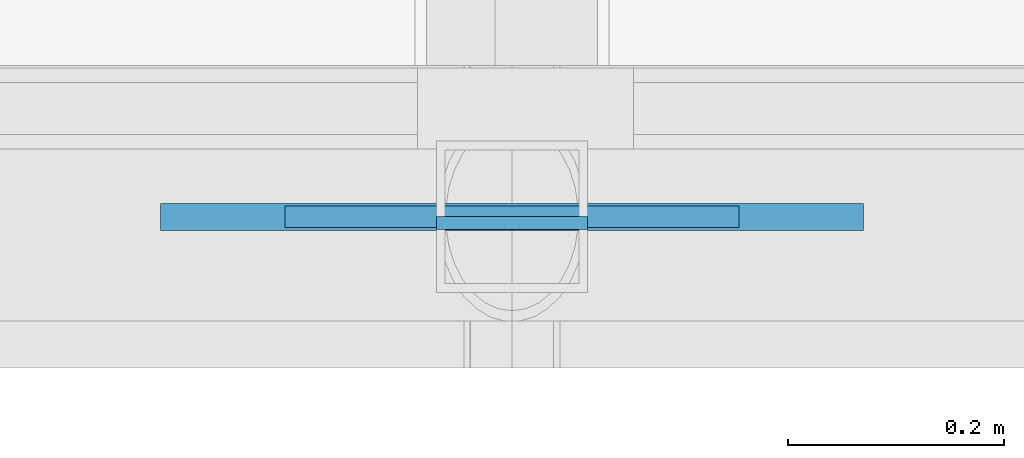
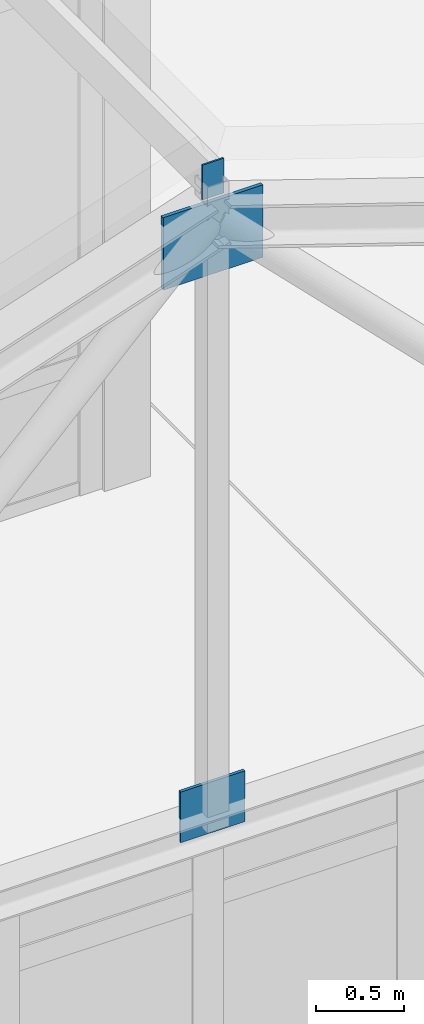
# One storey, part 137 of 192: 3 plates.
"""IFC4 building model written with IfcOpenShell, lengths in metres."""

from ifc_helpers import new_model, si_unit, direction, frame, origin, origin_2d, place, context, subcontext, project, spatial, rectangle, extrude, material, layer, layer_set, type_object, element, save


model = new_model("IFC4")

# Units and contexts
model_context = context("Model", 3, precision=1e-05, world=origin(), true_north=direction((0.0, 1.0)))
body_context = subcontext(model_context, "Body", "Model", "MODEL_VIEW")
ifc_project = project(units=[si_unit("LENGTHUNIT", "METRE"), si_unit("AREAUNIT", "SQUARE_METRE"), si_unit("VOLUMEUNIT", "CUBIC_METRE"), si_unit("PLANEANGLEUNIT", "RADIAN"), si_unit("MASSUNIT", "GRAM", prefix="KILO")], contexts=[model_context])

# Site, building, storey
site_placement = place(None, origin())
site = spatial("IfcSite", under=ifc_project, at=site_placement, CompositionType="ELEMENT")
building_placement = place(site_placement, origin())
building = spatial("IfcBuilding", under=site, at=building_placement, Name="Kveldsbrygga Polytechnic", CompositionType="ELEMENT")
storey_placement = place(building_placement, frame((0.0, 0.0, 5.43994140625)))
storey = spatial("IfcBuildingStorey", under=building, at=storey_placement, Name="L01", CompositionType="ELEMENT", Elevation=5.43994140625)

# Plates
ifc_material = material(Name="Steel S355", Category="steel")
ifc_layer_1 = layer(ifc_material, 0.011962890625)
ifc_layer_set_1 = layer_set([ifc_layer_1], Name="Steel S355")
plate_type_1 = type_object("IfcPlateType", Name="CAP-PRL-200", PredefinedType="SHEET", material=ifc_layer_set_1)
plate_1_placement = place(storey_placement, frame((63.0, 8.39404296875, 8.453125), z_axis=(0.0, 0.0, 1.0), x_axis=(1.0, 0.0, 0.0)))
element("IfcPlate", 1, at=plate_1_placement, inside=storey, type_object=plate_type_1, Name="Purlin End Cap Plate V5C-EP-A-3", PredefinedType="SHEET", context=body_context, shape_type="SweptSolid", body=[
    extrude(rectangle(XDim=0.139892578125, YDim=0.011962890625, at=origin_2d()), origin(), (0.0, 0.0, 1.0), 0.239990234375),
])
ifc_layer_2 = layer(ifc_material, 0.02490234375)
ifc_layer_set_2 = layer_set([ifc_layer_2], Name="Steel S355")
plate_type_2 = type_object("IfcPlateType", Name="GUS-APEX-650", PredefinedType="SHEET", material=ifc_layer_set_2)
plate_2_placement = place(storey_placement, frame((63.0, 8.39990234375, 7.920166015625), z_axis=(0.0, 0.0, 1.0), x_axis=(1.0, 0.0, 0.0)))
element("IfcPlate", 2, at=plate_2_placement, inside=storey, type_object=plate_type_2, Name="Truss Gusset Plate V5C-T01-GP-3", PredefinedType="SHEET", context=body_context, shape_type="SweptSolid", body=[
    extrude(rectangle(XDim=0.64990234375, YDim=0.02490234375, at=origin_2d()), origin(), (0.0, 0.0, 1.0), 0.5),
])
ifc_layer_3 = layer(ifc_material, 0.02001953125)
ifc_layer_set_3 = layer_set([ifc_layer_3], Name="Steel S355")
plate_type_3 = type_object("IfcPlateType", Name="GUS-LECT-420", PredefinedType="SHEET", material=ifc_layer_set_3)
plate_3_placement = place(storey_placement, frame((63.0, 8.39990234375, 4.06494140625), z_axis=(0.0, 0.0, 1.0), x_axis=(1.0, 0.0, 0.0)))
element("IfcPlate", 3, at=plate_3_placement, inside=storey, type_object=plate_type_3, Name="Truss Bottom-Chord Node Gusset V5C-T01-BGP-3", PredefinedType="SHEET", context=body_context, shape_type="SweptSolid", body=[
    extrude(rectangle(XDim=0.419921875, YDim=0.02001953125, at=origin_2d()), origin(), (0.0, 0.0, 1.0), 0.35009765625),
])

save(model, "model.ifc")
